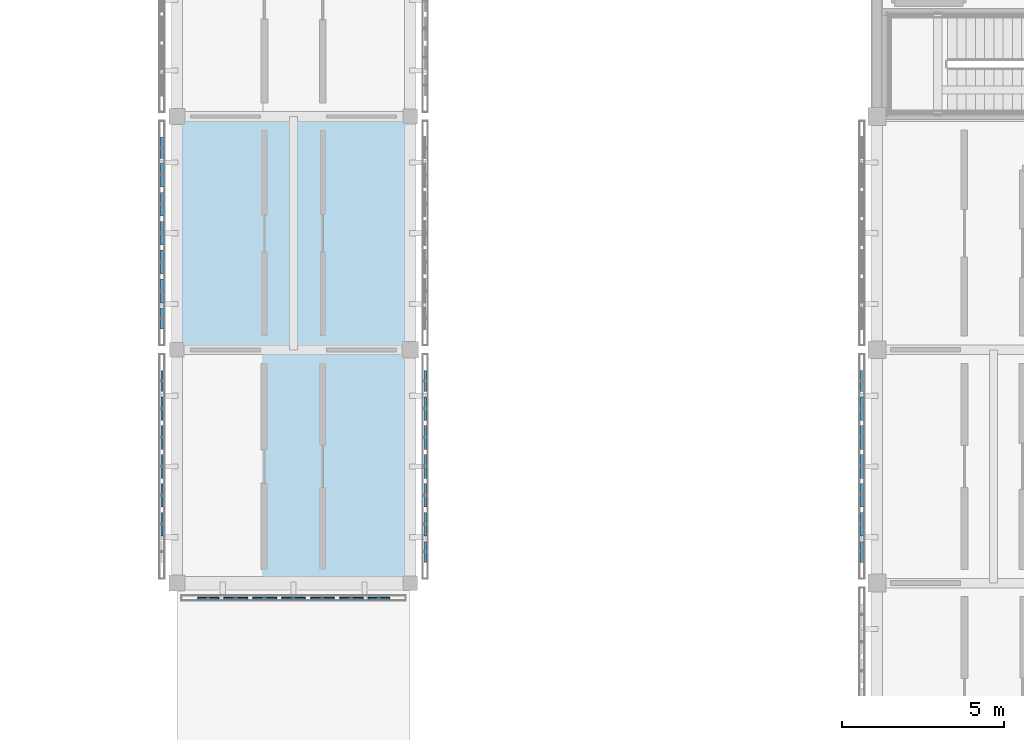
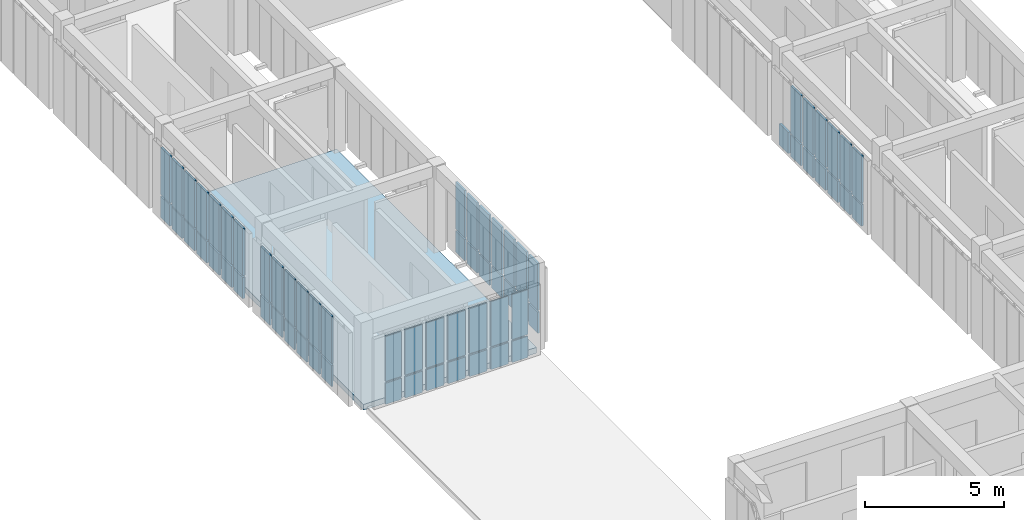
# One storey, part 47 of 67: 67 plates, 1 slab, 5 elements without a shape of their own.
"""IFC4 building model written with IfcOpenShell, lengths in metres."""

from ifc_helpers import new_model, si_unit, direction, frame, origin, origin_2d, place, context, subcontext, project, spatial, polyline, rectangle, outline, extrude, material, layer, layer_set, type_object, element, aggregate, save


model = new_model("IFC4")

# Units and contexts
model_context = context("Model", 3, precision=1e-05, world=origin(), true_north=direction((0.0, 1.0)))
body_context = subcontext(model_context, "Body", "Model", "MODEL_VIEW")
ifc_project = project(units=[si_unit("LENGTHUNIT", "METRE"), si_unit("AREAUNIT", "SQUARE_METRE"), si_unit("VOLUMEUNIT", "CUBIC_METRE"), si_unit("PLANEANGLEUNIT", "RADIAN"), si_unit("MASSUNIT", "GRAM", prefix="KILO")], contexts=[model_context])

# Site, building, storey
site_placement = place(None, origin())
site = spatial("IfcSite", under=ifc_project, at=site_placement, CompositionType="ELEMENT")
building_placement = place(site_placement, origin())
building = spatial("IfcBuilding", under=site, at=building_placement, Name="Aldebral Square Health Centre", CompositionType="ELEMENT")
storey_placement = place(building_placement, frame((0.0, 0.0, 13.5)))
storey = spatial("IfcBuildingStorey", under=building, at=storey_placement, Name="L03", CompositionType="ELEMENT", Elevation=13.5)

# Curtain wall, plates
ifc_material_1 = material(Name="Aluminium and low-E solar glass", Category="aluminium")
curtain_wall_type = type_object("IfcCurtainWallType", Name="CW-FIN-SYS", PredefinedType="USERDEFINED", material=ifc_material_1)
curtain_wall_1_placement = place(storey_placement, origin())
curtain_wall_1 = element("IfcCurtainWall", 1, at=curtain_wall_1_placement, inside=storey, type_object=curtain_wall_type, Name="L03 V5 finned curtain wall L03-V5-19-11-S", ObjectType="SOLAR_CURTAIN_WALL", PredefinedType="USERDEFINED")
ifc_material_2 = material(Name="Solar-control low-E double glass", Category="glass")
ifc_layer_1 = layer(ifc_material_2, 0.06005859375, Name="Solar-control low-E double glass", Category="glass")
ifc_layer_set_1 = layer_set([ifc_layer_1], Name="Solar-control low-E double glass")
plate_type_1 = type_object("IfcPlateType", Name="CWP-GLZ-5", PredefinedType="CURTAIN_PANEL", material=ifc_layer_set_1)
plate_1_placement = place(storey_placement, frame((137.765625, 78.739990234375, 0.074951171875), z_axis=(0.0, 0.0, 1.0), x_axis=(1.0, 0.0, 0.0)))
plate_1 = element("IfcPlate", 2, at=plate_1_placement, type_object=plate_type_1, Name="CW1 panel 1.1", PredefinedType="CURTAIN_PANEL", context=body_context, shape_type="SweptSolid", body=[
    extrude(rectangle(XDim=0.6513671875, YDim=0.06005859375, at=origin_2d()), origin(), (0.0, 0.0, 1.0), 0.9375),
])
plate_2_placement = place(storey_placement, frame((137.765625, 78.739990234375, 1.08740234375), z_axis=(0.0, 0.0, 1.0), x_axis=(1.0, 0.0, 0.0)))
plate_2 = element("IfcPlate", 3, at=plate_2_placement, type_object=plate_type_1, Name="CW1 panel 1.2", PredefinedType="CURTAIN_PANEL", context=body_context, shape_type="SweptSolid", body=[
    extrude(rectangle(XDim=0.6513671875, YDim=0.06005859375, at=origin_2d()), origin(), (0.0, 0.0, 1.0), 1.9775390625),
])
plate_3_placement = place(storey_placement, frame((138.6171875, 78.739990234375, 0.074951171875), z_axis=(0.0, 0.0, 1.0), x_axis=(1.0, 0.0, 0.0)))
plate_3 = element("IfcPlate", 4, at=plate_3_placement, type_object=plate_type_1, Name="CW1 panel 2.1", PredefinedType="CURTAIN_PANEL", context=body_context, shape_type="SweptSolid", body=[
    extrude(rectangle(XDim=0.7314453125, YDim=0.06005859375, at=origin_2d()), origin(), (0.0, 0.0, 1.0), 0.9375),
])
plate_4_placement = place(storey_placement, frame((138.6171875, 78.739990234375, 1.08740234375), z_axis=(0.0, 0.0, 1.0), x_axis=(1.0, 0.0, 0.0)))
plate_4 = element("IfcPlate", 5, at=plate_4_placement, type_object=plate_type_1, Name="CW1 panel 2.2", PredefinedType="CURTAIN_PANEL", context=body_context, shape_type="SweptSolid", body=[
    extrude(rectangle(XDim=0.7314453125, YDim=0.06005859375, at=origin_2d()), origin(), (0.0, 0.0, 1.0), 1.9775390625),
])
plate_5_placement = place(storey_placement, frame((139.508544921875, 78.739990234375, 0.074951171875), z_axis=(0.0, 0.0, 1.0), x_axis=(1.0, 0.0, 0.0)))
plate_5 = element("IfcPlate", 6, at=plate_5_placement, type_object=plate_type_1, Name="CW1 panel 3.1", PredefinedType="CURTAIN_PANEL", context=body_context, shape_type="SweptSolid", body=[
    extrude(rectangle(XDim=0.7314453125, YDim=0.06005859375, at=origin_2d()), origin(), (0.0, 0.0, 1.0), 0.9375),
])
plate_6_placement = place(storey_placement, frame((139.508544921875, 78.739990234375, 1.08740234375), z_axis=(0.0, 0.0, 1.0), x_axis=(1.0, 0.0, 0.0)))
plate_6 = element("IfcPlate", 7, at=plate_6_placement, type_object=plate_type_1, Name="CW1 panel 3.2", PredefinedType="CURTAIN_PANEL", context=body_context, shape_type="SweptSolid", body=[
    extrude(rectangle(XDim=0.7314453125, YDim=0.06005859375, at=origin_2d()), origin(), (0.0, 0.0, 1.0), 1.9775390625),
])
plate_7_placement = place(storey_placement, frame((140.39990234375, 78.739990234375, 0.074951171875), z_axis=(0.0, 0.0, 1.0), x_axis=(1.0, 0.0, 0.0)))
plate_7 = element("IfcPlate", 8, at=plate_7_placement, type_object=plate_type_1, Name="CW1 panel 4.1", PredefinedType="CURTAIN_PANEL", context=body_context, shape_type="SweptSolid", body=[
    extrude(rectangle(XDim=0.7314453125, YDim=0.06005859375, at=origin_2d()), origin(), (0.0, 0.0, 1.0), 0.9375),
])
plate_8_placement = place(storey_placement, frame((140.39990234375, 78.739990234375, 1.08740234375), z_axis=(0.0, 0.0, 1.0), x_axis=(1.0, 0.0, 0.0)))
plate_8 = element("IfcPlate", 9, at=plate_8_placement, type_object=plate_type_1, Name="CW1 panel 4.2", PredefinedType="CURTAIN_PANEL", context=body_context, shape_type="SweptSolid", body=[
    extrude(rectangle(XDim=0.7314453125, YDim=0.06005859375, at=origin_2d()), origin(), (0.0, 0.0, 1.0), 1.9775390625),
])
plate_9_placement = place(storey_placement, frame((141.29150390625, 78.739990234375, 0.074951171875), z_axis=(0.0, 0.0, 1.0), x_axis=(1.0, 0.0, 0.0)))
plate_9 = element("IfcPlate", 10, at=plate_9_placement, type_object=plate_type_1, Name="CW1 panel 5.1", PredefinedType="CURTAIN_PANEL", context=body_context, shape_type="SweptSolid", body=[
    extrude(rectangle(XDim=0.7314453125, YDim=0.06005859375, at=origin_2d()), origin(), (0.0, 0.0, 1.0), 0.9375),
])
plate_10_placement = place(storey_placement, frame((141.29150390625, 78.739990234375, 1.08740234375), z_axis=(0.0, 0.0, 1.0), x_axis=(1.0, 0.0, 0.0)))
plate_10 = element("IfcPlate", 11, at=plate_10_placement, type_object=plate_type_1, Name="CW1 panel 5.2", PredefinedType="CURTAIN_PANEL", context=body_context, shape_type="SweptSolid", body=[
    extrude(rectangle(XDim=0.7314453125, YDim=0.06005859375, at=origin_2d()), origin(), (0.0, 0.0, 1.0), 1.9775390625),
])
plate_11_placement = place(storey_placement, frame((142.182861328125, 78.739990234375, 0.074951171875), z_axis=(0.0, 0.0, 1.0), x_axis=(1.0, 0.0, 0.0)))
plate_11 = element("IfcPlate", 12, at=plate_11_placement, type_object=plate_type_1, Name="CW1 panel 6.1", PredefinedType="CURTAIN_PANEL", context=body_context, shape_type="SweptSolid", body=[
    extrude(rectangle(XDim=0.7314453125, YDim=0.06005859375, at=origin_2d()), origin(), (0.0, 0.0, 1.0), 0.9375),
])
plate_12_placement = place(storey_placement, frame((142.182861328125, 78.739990234375, 1.08740234375), z_axis=(0.0, 0.0, 1.0), x_axis=(1.0, 0.0, 0.0)))
plate_12 = element("IfcPlate", 13, at=plate_12_placement, type_object=plate_type_1, Name="CW1 panel 6.2", PredefinedType="CURTAIN_PANEL", context=body_context, shape_type="SweptSolid", body=[
    extrude(rectangle(XDim=0.7314453125, YDim=0.06005859375, at=origin_2d()), origin(), (0.0, 0.0, 1.0), 1.9775390625),
])
plate_13_placement = place(storey_placement, frame((143.0341796875, 78.739990234375, 0.074951171875), z_axis=(0.0, 0.0, 1.0), x_axis=(1.0, 0.0, 0.0)))
plate_13 = element("IfcPlate", 14, at=plate_13_placement, type_object=plate_type_1, Name="CW1 panel 7.1", PredefinedType="CURTAIN_PANEL", context=body_context, shape_type="SweptSolid", body=[
    extrude(rectangle(XDim=0.6513671875, YDim=0.06005859375, at=origin_2d()), origin(), (0.0, 0.0, 1.0), 0.9375),
])
plate_14_placement = place(storey_placement, frame((143.0341796875, 78.739990234375, 1.08740234375), z_axis=(0.0, 0.0, 1.0), x_axis=(1.0, 0.0, 0.0)))
plate_14 = element("IfcPlate", 15, at=plate_14_placement, type_object=plate_type_1, Name="CW1 panel 7.2", PredefinedType="CURTAIN_PANEL", context=body_context, shape_type="SweptSolid", body=[
    extrude(rectangle(XDim=0.6513671875, YDim=0.06005859375, at=origin_2d()), origin(), (0.0, 0.0, 1.0), 1.9775390625),
])
aggregate(curtain_wall_1, [plate_1, plate_2, plate_3, plate_4, plate_5, plate_6, plate_7, plate_8, plate_9, plate_10, plate_11, plate_12, plate_13, plate_14])

curtain_wall_2_placement = place(storey_placement, origin())
curtain_wall_2 = element("IfcCurtainWall", 16, at=curtain_wall_2_placement, inside=storey, type_object=curtain_wall_type, Name="L03 V5 finned curtain wall L03-V5-19-11-W", ObjectType="SOLAR_CURTAIN_WALL", PredefinedType="USERDEFINED")
ifc_layer_2 = layer(ifc_material_2, 0.070068359375, Name="Solar-control low-E double glass", Category="glass")
ifc_layer_set_2 = layer_set([ifc_layer_2], Name="Solar-control low-E double glass")
plate_type_2 = type_object("IfcPlateType", Name="CWP-GLZ-6", PredefinedType="CURTAIN_PANEL", material=ifc_layer_set_2)
plate_15_placement = place(storey_placement, frame((136.340087890625, 85.434326171875, 0.074951171875), z_axis=(0.0, 0.0, 1.0), x_axis=(0.0, -1.0, 0.0)))
plate_15 = element("IfcPlate", 17, at=plate_15_placement, type_object=plate_type_2, Name="CW1 panel 1.1", PredefinedType="CURTAIN_PANEL", context=body_context, shape_type="SweptSolid", body=[
    extrude(rectangle(XDim=0.6513671875, YDim=0.070068359375, at=origin_2d()), origin(), (0.0, 0.0, 1.0), 0.9375),
])
plate_16_placement = place(storey_placement, frame((136.340087890625, 85.434326171875, 1.08740234375), z_axis=(0.0, 0.0, 1.0), x_axis=(0.0, -1.0, 0.0)))
plate_16 = element("IfcPlate", 18, at=plate_16_placement, type_object=plate_type_2, Name="CW1 panel 1.2", PredefinedType="CURTAIN_PANEL", context=body_context, shape_type="SweptSolid", body=[
    extrude(rectangle(XDim=0.6513671875, YDim=0.070068359375, at=origin_2d()), origin(), (0.0, 0.0, 1.0), 2.077392578125),
])
plate_17_placement = place(storey_placement, frame((136.340087890625, 84.582763671875, 0.074951171875), z_axis=(0.0, 0.0, 1.0), x_axis=(0.0, -1.0, 0.0)))
plate_17 = element("IfcPlate", 19, at=plate_17_placement, type_object=plate_type_2, Name="CW1 panel 2.1", PredefinedType="CURTAIN_PANEL", context=body_context, shape_type="SweptSolid", body=[
    extrude(rectangle(XDim=0.7314453125, YDim=0.070068359375, at=origin_2d()), origin(), (0.0, 0.0, 1.0), 0.9375),
])
plate_18_placement = place(storey_placement, frame((136.340087890625, 84.582763671875, 1.08740234375), z_axis=(0.0, 0.0, 1.0), x_axis=(0.0, -1.0, 0.0)))
plate_18 = element("IfcPlate", 20, at=plate_18_placement, type_object=plate_type_2, Name="CW1 panel 2.2", PredefinedType="CURTAIN_PANEL", context=body_context, shape_type="SweptSolid", body=[
    extrude(rectangle(XDim=0.7314453125, YDim=0.070068359375, at=origin_2d()), origin(), (0.0, 0.0, 1.0), 2.077392578125),
])
plate_19_placement = place(storey_placement, frame((136.340087890625, 83.69140625, 0.074951171875), z_axis=(0.0, 0.0, 1.0), x_axis=(0.0, -1.0, 0.0)))
plate_19 = element("IfcPlate", 21, at=plate_19_placement, type_object=plate_type_2, Name="CW1 panel 3.1", PredefinedType="CURTAIN_PANEL", context=body_context, shape_type="SweptSolid", body=[
    extrude(rectangle(XDim=0.7314453125, YDim=0.070068359375, at=origin_2d()), origin(), (0.0, 0.0, 1.0), 0.9375),
])
plate_20_placement = place(storey_placement, frame((136.340087890625, 83.69140625, 1.08740234375), z_axis=(0.0, 0.0, 1.0), x_axis=(0.0, -1.0, 0.0)))
plate_20 = element("IfcPlate", 22, at=plate_20_placement, type_object=plate_type_2, Name="CW1 panel 3.2", PredefinedType="CURTAIN_PANEL", context=body_context, shape_type="SweptSolid", body=[
    extrude(rectangle(XDim=0.7314453125, YDim=0.070068359375, at=origin_2d()), origin(), (0.0, 0.0, 1.0), 2.077392578125),
])
plate_21_placement = place(storey_placement, frame((136.340087890625, 82.800048828125, 0.074951171875), z_axis=(0.0, 0.0, 1.0), x_axis=(0.0, -1.0, 0.0)))
plate_21 = element("IfcPlate", 23, at=plate_21_placement, type_object=plate_type_2, Name="CW1 panel 4.1", PredefinedType="CURTAIN_PANEL", context=body_context, shape_type="SweptSolid", body=[
    extrude(rectangle(XDim=0.7314453125, YDim=0.070068359375, at=origin_2d()), origin(), (0.0, 0.0, 1.0), 0.9375),
])
plate_22_placement = place(storey_placement, frame((136.340087890625, 82.800048828125, 1.08740234375), z_axis=(0.0, 0.0, 1.0), x_axis=(0.0, -1.0, 0.0)))
plate_22 = element("IfcPlate", 24, at=plate_22_placement, type_object=plate_type_2, Name="CW1 panel 4.2", PredefinedType="CURTAIN_PANEL", context=body_context, shape_type="SweptSolid", body=[
    extrude(rectangle(XDim=0.7314453125, YDim=0.070068359375, at=origin_2d()), origin(), (0.0, 0.0, 1.0), 2.077392578125),
])
plate_23_placement = place(storey_placement, frame((136.340087890625, 81.90869140625, 0.074951171875), z_axis=(0.0, 0.0, 1.0), x_axis=(0.0, -1.0, 0.0)))
plate_23 = element("IfcPlate", 25, at=plate_23_placement, type_object=plate_type_2, Name="CW1 panel 5.1", PredefinedType="CURTAIN_PANEL", context=body_context, shape_type="SweptSolid", body=[
    extrude(rectangle(XDim=0.7314453125, YDim=0.070068359375, at=origin_2d()), origin(), (0.0, 0.0, 1.0), 0.9375),
])
plate_24_placement = place(storey_placement, frame((136.340087890625, 81.90869140625, 1.08740234375), z_axis=(0.0, 0.0, 1.0), x_axis=(0.0, -1.0, 0.0)))
plate_24 = element("IfcPlate", 26, at=plate_24_placement, type_object=plate_type_2, Name="CW1 panel 5.2", PredefinedType="CURTAIN_PANEL", context=body_context, shape_type="SweptSolid", body=[
    extrude(rectangle(XDim=0.7314453125, YDim=0.070068359375, at=origin_2d()), origin(), (0.0, 0.0, 1.0), 2.077392578125),
])
plate_25_placement = place(storey_placement, frame((136.340087890625, 81.01708984375, 0.074951171875), z_axis=(0.0, 0.0, 1.0), x_axis=(0.0, -1.0, 0.0)))
plate_25 = element("IfcPlate", 27, at=plate_25_placement, type_object=plate_type_2, Name="CW1 panel 6.1", PredefinedType="CURTAIN_PANEL", context=body_context, shape_type="SweptSolid", body=[
    extrude(rectangle(XDim=0.7314453125, YDim=0.070068359375, at=origin_2d()), origin(), (0.0, 0.0, 1.0), 0.9375),
])
plate_26_placement = place(storey_placement, frame((136.340087890625, 81.01708984375, 1.08740234375), z_axis=(0.0, 0.0, 1.0), x_axis=(0.0, -1.0, 0.0)))
plate_26 = element("IfcPlate", 28, at=plate_26_placement, type_object=plate_type_2, Name="CW1 panel 6.2", PredefinedType="CURTAIN_PANEL", context=body_context, shape_type="SweptSolid", body=[
    extrude(rectangle(XDim=0.7314453125, YDim=0.070068359375, at=origin_2d()), origin(), (0.0, 0.0, 1.0), 2.077392578125),
])
aggregate(curtain_wall_2, [plate_15, plate_16, plate_17, plate_18, plate_19, plate_20, plate_21, plate_22, plate_23, plate_24, plate_25, plate_26])

curtain_wall_3_placement = place(storey_placement, origin())
curtain_wall_3 = element("IfcCurtainWall", 29, at=curtain_wall_3_placement, inside=storey, type_object=curtain_wall_type, Name="L03 V5 finned curtain wall L03-V5-19-11-E", ObjectType="SOLAR_CURTAIN_WALL", PredefinedType="USERDEFINED")
ifc_layer_3 = layer(ifc_material_2, 0.080078125, Name="Solar-control low-E double glass", Category="glass")
ifc_layer_set_3 = layer_set([ifc_layer_3], Name="Solar-control low-E double glass")
plate_type_3 = type_object("IfcPlateType", Name="CWP-GLZ-7", PredefinedType="CURTAIN_PANEL", material=ifc_layer_set_3)
plate_27_placement = place(storey_placement, frame((144.4599609375, 80.165771484375, 0.074951171875), z_axis=(0.0, 0.0, 1.0), x_axis=(0.0, 1.0, 0.0)))
plate_27 = element("IfcPlate", 30, at=plate_27_placement, type_object=plate_type_3, Name="CW1 panel 1.1", PredefinedType="CURTAIN_PANEL", context=body_context, shape_type="SweptSolid", body=[
    extrude(rectangle(XDim=0.6513671875, YDim=0.080078125, at=origin_2d()), origin(), (0.0, 0.0, 1.0), 0.9375),
])
plate_28_placement = place(storey_placement, frame((144.4599609375, 80.165771484375, 1.08740234375), z_axis=(0.0, 0.0, 1.0), x_axis=(0.0, 1.0, 0.0)))
plate_28 = element("IfcPlate", 31, at=plate_28_placement, type_object=plate_type_3, Name="CW1 panel 1.2", PredefinedType="CURTAIN_PANEL", context=body_context, shape_type="SweptSolid", body=[
    extrude(rectangle(XDim=0.6513671875, YDim=0.080078125, at=origin_2d()), origin(), (0.0, 0.0, 1.0), 2.077392578125),
])
plate_29_placement = place(storey_placement, frame((144.4599609375, 81.01708984375, 0.074951171875), z_axis=(0.0, 0.0, 1.0), x_axis=(0.0, 1.0, 0.0)))
plate_29 = element("IfcPlate", 32, at=plate_29_placement, type_object=plate_type_3, Name="CW1 panel 2.1", PredefinedType="CURTAIN_PANEL", context=body_context, shape_type="SweptSolid", body=[
    extrude(rectangle(XDim=0.7314453125, YDim=0.080078125, at=origin_2d()), origin(), (0.0, 0.0, 1.0), 0.9375),
])
plate_30_placement = place(storey_placement, frame((144.4599609375, 81.01708984375, 1.08740234375), z_axis=(0.0, 0.0, 1.0), x_axis=(0.0, 1.0, 0.0)))
plate_30 = element("IfcPlate", 33, at=plate_30_placement, type_object=plate_type_3, Name="CW1 panel 2.2", PredefinedType="CURTAIN_PANEL", context=body_context, shape_type="SweptSolid", body=[
    extrude(rectangle(XDim=0.7314453125, YDim=0.080078125, at=origin_2d()), origin(), (0.0, 0.0, 1.0), 2.077392578125),
])
plate_31_placement = place(storey_placement, frame((144.4599609375, 81.90869140625, 0.074951171875), z_axis=(0.0, 0.0, 1.0), x_axis=(0.0, 1.0, 0.0)))
plate_31 = element("IfcPlate", 34, at=plate_31_placement, type_object=plate_type_3, Name="CW1 panel 3.1", PredefinedType="CURTAIN_PANEL", context=body_context, shape_type="SweptSolid", body=[
    extrude(rectangle(XDim=0.7314453125, YDim=0.080078125, at=origin_2d()), origin(), (0.0, 0.0, 1.0), 0.9375),
])
plate_32_placement = place(storey_placement, frame((144.4599609375, 81.90869140625, 1.08740234375), z_axis=(0.0, 0.0, 1.0), x_axis=(0.0, 1.0, 0.0)))
plate_32 = element("IfcPlate", 35, at=plate_32_placement, type_object=plate_type_3, Name="CW1 panel 3.2", PredefinedType="CURTAIN_PANEL", context=body_context, shape_type="SweptSolid", body=[
    extrude(rectangle(XDim=0.7314453125, YDim=0.080078125, at=origin_2d()), origin(), (0.0, 0.0, 1.0), 2.077392578125),
])
plate_33_placement = place(storey_placement, frame((144.4599609375, 82.800048828125, 0.074951171875), z_axis=(0.0, 0.0, 1.0), x_axis=(0.0, 1.0, 0.0)))
plate_33 = element("IfcPlate", 36, at=plate_33_placement, type_object=plate_type_3, Name="CW1 panel 4.1", PredefinedType="CURTAIN_PANEL", context=body_context, shape_type="SweptSolid", body=[
    extrude(rectangle(XDim=0.7314453125, YDim=0.080078125, at=origin_2d()), origin(), (0.0, 0.0, 1.0), 0.9375),
])
plate_34_placement = place(storey_placement, frame((144.4599609375, 82.800048828125, 1.08740234375), z_axis=(0.0, 0.0, 1.0), x_axis=(0.0, 1.0, 0.0)))
plate_34 = element("IfcPlate", 37, at=plate_34_placement, type_object=plate_type_3, Name="CW1 panel 4.2", PredefinedType="CURTAIN_PANEL", context=body_context, shape_type="SweptSolid", body=[
    extrude(rectangle(XDim=0.7314453125, YDim=0.080078125, at=origin_2d()), origin(), (0.0, 0.0, 1.0), 2.077392578125),
])
plate_35_placement = place(storey_placement, frame((144.4599609375, 83.69140625, 0.074951171875), z_axis=(0.0, 0.0, 1.0), x_axis=(0.0, 1.0, 0.0)))
plate_35 = element("IfcPlate", 38, at=plate_35_placement, type_object=plate_type_3, Name="CW1 panel 5.1", PredefinedType="CURTAIN_PANEL", context=body_context, shape_type="SweptSolid", body=[
    extrude(rectangle(XDim=0.7314453125, YDim=0.080078125, at=origin_2d()), origin(), (0.0, 0.0, 1.0), 0.9375),
])
plate_36_placement = place(storey_placement, frame((144.4599609375, 83.69140625, 1.08740234375), z_axis=(0.0, 0.0, 1.0), x_axis=(0.0, 1.0, 0.0)))
plate_36 = element("IfcPlate", 39, at=plate_36_placement, type_object=plate_type_3, Name="CW1 panel 5.2", PredefinedType="CURTAIN_PANEL", context=body_context, shape_type="SweptSolid", body=[
    extrude(rectangle(XDim=0.7314453125, YDim=0.080078125, at=origin_2d()), origin(), (0.0, 0.0, 1.0), 2.077392578125),
])
plate_37_placement = place(storey_placement, frame((144.4599609375, 84.582763671875, 0.074951171875), z_axis=(0.0, 0.0, 1.0), x_axis=(0.0, 1.0, 0.0)))
plate_37 = element("IfcPlate", 40, at=plate_37_placement, type_object=plate_type_3, Name="CW1 panel 6.1", PredefinedType="CURTAIN_PANEL", context=body_context, shape_type="SweptSolid", body=[
    extrude(rectangle(XDim=0.7314453125, YDim=0.080078125, at=origin_2d()), origin(), (0.0, 0.0, 1.0), 0.9375),
])
plate_38_placement = place(storey_placement, frame((144.4599609375, 84.582763671875, 1.08740234375), z_axis=(0.0, 0.0, 1.0), x_axis=(0.0, 1.0, 0.0)))
plate_38 = element("IfcPlate", 41, at=plate_38_placement, type_object=plate_type_3, Name="CW1 panel 6.2", PredefinedType="CURTAIN_PANEL", context=body_context, shape_type="SweptSolid", body=[
    extrude(rectangle(XDim=0.7314453125, YDim=0.080078125, at=origin_2d()), origin(), (0.0, 0.0, 1.0), 2.077392578125),
])
plate_39_placement = place(storey_placement, frame((144.4599609375, 85.434326171875, 0.074951171875), z_axis=(0.0, 0.0, 1.0), x_axis=(0.0, 1.0, 0.0)))
plate_39 = element("IfcPlate", 42, at=plate_39_placement, type_object=plate_type_3, Name="CW1 panel 7.1", PredefinedType="CURTAIN_PANEL", context=body_context, shape_type="SweptSolid", body=[
    extrude(rectangle(XDim=0.6513671875, YDim=0.080078125, at=origin_2d()), origin(), (0.0, 0.0, 1.0), 0.9375),
])
plate_40_placement = place(storey_placement, frame((144.4599609375, 85.434326171875, 1.08740234375), z_axis=(0.0, 0.0, 1.0), x_axis=(0.0, 1.0, 0.0)))
plate_40 = element("IfcPlate", 43, at=plate_40_placement, type_object=plate_type_3, Name="CW1 panel 7.2", PredefinedType="CURTAIN_PANEL", context=body_context, shape_type="SweptSolid", body=[
    extrude(rectangle(XDim=0.6513671875, YDim=0.080078125, at=origin_2d()), origin(), (0.0, 0.0, 1.0), 2.077392578125),
])
aggregate(curtain_wall_3, [plate_27, plate_28, plate_29, plate_30, plate_31, plate_32, plate_33, plate_34, plate_35, plate_36, plate_37, plate_38, plate_39, plate_40])

curtain_wall_4_placement = place(storey_placement, origin())
curtain_wall_4 = element("IfcCurtainWall", 44, at=curtain_wall_4_placement, inside=storey, type_object=curtain_wall_type, Name="L03 V5 finned curtain wall L03-V5-19-12-W", ObjectType="SOLAR_CURTAIN_WALL", PredefinedType="USERDEFINED")
ifc_layer_4 = layer(ifc_material_2, 0.090087890625, Name="Solar-control low-E double glass", Category="glass")
ifc_layer_set_4 = layer_set([ifc_layer_4], Name="Solar-control low-E double glass")
plate_type_4 = type_object("IfcPlateType", Name="CWP-GLZ-8", PredefinedType="CURTAIN_PANEL", material=ifc_layer_set_4)
plate_41_placement = place(storey_placement, frame((136.340087890625, 92.63427734375, 0.074951171875), z_axis=(0.0, 0.0, 1.0), x_axis=(0.0, -1.0, 0.0)))
plate_41 = element("IfcPlate", 45, at=plate_41_placement, type_object=plate_type_4, Name="CW1 panel 1.1", PredefinedType="CURTAIN_PANEL", context=body_context, shape_type="SweptSolid", body=[
    extrude(rectangle(XDim=0.6513671875, YDim=0.090087890625, at=origin_2d()), origin(), (0.0, 0.0, 1.0), 0.9375),
])
plate_42_placement = place(storey_placement, frame((136.340087890625, 92.63427734375, 1.08740234375), z_axis=(0.0, 0.0, 1.0), x_axis=(0.0, -1.0, 0.0)))
plate_42 = element("IfcPlate", 46, at=plate_42_placement, type_object=plate_type_4, Name="CW1 panel 1.2", PredefinedType="CURTAIN_PANEL", context=body_context, shape_type="SweptSolid", body=[
    extrude(rectangle(XDim=0.6513671875, YDim=0.090087890625, at=origin_2d()), origin(), (0.0, 0.0, 1.0), 2.077392578125),
])
plate_43_placement = place(storey_placement, frame((136.340087890625, 91.782958984375, 0.074951171875), z_axis=(0.0, 0.0, 1.0), x_axis=(0.0, -1.0, 0.0)))
plate_43 = element("IfcPlate", 47, at=plate_43_placement, type_object=plate_type_4, Name="CW1 panel 2.1", PredefinedType="CURTAIN_PANEL", context=body_context, shape_type="SweptSolid", body=[
    extrude(rectangle(XDim=0.7314453125, YDim=0.090087890625, at=origin_2d()), origin(), (0.0, 0.0, 1.0), 0.9375),
])
plate_44_placement = place(storey_placement, frame((136.340087890625, 91.782958984375, 1.08740234375), z_axis=(0.0, 0.0, 1.0), x_axis=(0.0, -1.0, 0.0)))
plate_44 = element("IfcPlate", 48, at=plate_44_placement, type_object=plate_type_4, Name="CW1 panel 2.2", PredefinedType="CURTAIN_PANEL", context=body_context, shape_type="SweptSolid", body=[
    extrude(rectangle(XDim=0.7314453125, YDim=0.090087890625, at=origin_2d()), origin(), (0.0, 0.0, 1.0), 2.077392578125),
])
plate_45_placement = place(storey_placement, frame((136.340087890625, 90.891357421875, 0.074951171875), z_axis=(0.0, 0.0, 1.0), x_axis=(0.0, -1.0, 0.0)))
plate_45 = element("IfcPlate", 49, at=plate_45_placement, type_object=plate_type_4, Name="CW1 panel 3.1", PredefinedType="CURTAIN_PANEL", context=body_context, shape_type="SweptSolid", body=[
    extrude(rectangle(XDim=0.7314453125, YDim=0.090087890625, at=origin_2d()), origin(), (0.0, 0.0, 1.0), 0.9375),
])
plate_46_placement = place(storey_placement, frame((136.340087890625, 90.891357421875, 1.08740234375), z_axis=(0.0, 0.0, 1.0), x_axis=(0.0, -1.0, 0.0)))
plate_46 = element("IfcPlate", 50, at=plate_46_placement, type_object=plate_type_4, Name="CW1 panel 3.2", PredefinedType="CURTAIN_PANEL", context=body_context, shape_type="SweptSolid", body=[
    extrude(rectangle(XDim=0.7314453125, YDim=0.090087890625, at=origin_2d()), origin(), (0.0, 0.0, 1.0), 2.077392578125),
])
plate_47_placement = place(storey_placement, frame((136.340087890625, 90.0, 0.074951171875), z_axis=(0.0, 0.0, 1.0), x_axis=(0.0, -1.0, 0.0)))
plate_47 = element("IfcPlate", 51, at=plate_47_placement, type_object=plate_type_4, Name="CW1 panel 4.1", PredefinedType="CURTAIN_PANEL", context=body_context, shape_type="SweptSolid", body=[
    extrude(rectangle(XDim=0.7314453125, YDim=0.090087890625, at=origin_2d()), origin(), (0.0, 0.0, 1.0), 0.9375),
])
plate_48_placement = place(storey_placement, frame((136.340087890625, 90.0, 1.08740234375), z_axis=(0.0, 0.0, 1.0), x_axis=(0.0, -1.0, 0.0)))
plate_48 = element("IfcPlate", 52, at=plate_48_placement, type_object=plate_type_4, Name="CW1 panel 4.2", PredefinedType="CURTAIN_PANEL", context=body_context, shape_type="SweptSolid", body=[
    extrude(rectangle(XDim=0.7314453125, YDim=0.090087890625, at=origin_2d()), origin(), (0.0, 0.0, 1.0), 2.077392578125),
])
plate_49_placement = place(storey_placement, frame((136.340087890625, 89.108642578125, 0.074951171875), z_axis=(0.0, 0.0, 1.0), x_axis=(0.0, -1.0, 0.0)))
plate_49 = element("IfcPlate", 53, at=plate_49_placement, type_object=plate_type_4, Name="CW1 panel 5.1", PredefinedType="CURTAIN_PANEL", context=body_context, shape_type="SweptSolid", body=[
    extrude(rectangle(XDim=0.7314453125, YDim=0.090087890625, at=origin_2d()), origin(), (0.0, 0.0, 1.0), 0.9375),
])
plate_50_placement = place(storey_placement, frame((136.340087890625, 89.108642578125, 1.08740234375), z_axis=(0.0, 0.0, 1.0), x_axis=(0.0, -1.0, 0.0)))
plate_50 = element("IfcPlate", 54, at=plate_50_placement, type_object=plate_type_4, Name="CW1 panel 5.2", PredefinedType="CURTAIN_PANEL", context=body_context, shape_type="SweptSolid", body=[
    extrude(rectangle(XDim=0.7314453125, YDim=0.090087890625, at=origin_2d()), origin(), (0.0, 0.0, 1.0), 2.077392578125),
])
plate_51_placement = place(storey_placement, frame((136.340087890625, 88.217041015625, 0.074951171875), z_axis=(0.0, 0.0, 1.0), x_axis=(0.0, -1.0, 0.0)))
plate_51 = element("IfcPlate", 55, at=plate_51_placement, type_object=plate_type_4, Name="CW1 panel 6.1", PredefinedType="CURTAIN_PANEL", context=body_context, shape_type="SweptSolid", body=[
    extrude(rectangle(XDim=0.7314453125, YDim=0.090087890625, at=origin_2d()), origin(), (0.0, 0.0, 1.0), 0.9375),
])
plate_52_placement = place(storey_placement, frame((136.340087890625, 88.217041015625, 1.08740234375), z_axis=(0.0, 0.0, 1.0), x_axis=(0.0, -1.0, 0.0)))
plate_52 = element("IfcPlate", 56, at=plate_52_placement, type_object=plate_type_4, Name="CW1 panel 6.2", PredefinedType="CURTAIN_PANEL", context=body_context, shape_type="SweptSolid", body=[
    extrude(rectangle(XDim=0.7314453125, YDim=0.090087890625, at=origin_2d()), origin(), (0.0, 0.0, 1.0), 2.077392578125),
])
plate_53_placement = place(storey_placement, frame((136.340087890625, 87.36572265625, 0.074951171875), z_axis=(0.0, 0.0, 1.0), x_axis=(0.0, -1.0, 0.0)))
plate_53 = element("IfcPlate", 57, at=plate_53_placement, type_object=plate_type_4, Name="CW1 panel 7.1", PredefinedType="CURTAIN_PANEL", context=body_context, shape_type="SweptSolid", body=[
    extrude(rectangle(XDim=0.6513671875, YDim=0.090087890625, at=origin_2d()), origin(), (0.0, 0.0, 1.0), 0.9375),
])
plate_54_placement = place(storey_placement, frame((136.340087890625, 87.36572265625, 1.08740234375), z_axis=(0.0, 0.0, 1.0), x_axis=(0.0, -1.0, 0.0)))
plate_54 = element("IfcPlate", 58, at=plate_54_placement, type_object=plate_type_4, Name="CW1 panel 7.2", PredefinedType="CURTAIN_PANEL", context=body_context, shape_type="SweptSolid", body=[
    extrude(rectangle(XDim=0.6513671875, YDim=0.090087890625, at=origin_2d()), origin(), (0.0, 0.0, 1.0), 2.077392578125),
])
aggregate(curtain_wall_4, [plate_41, plate_42, plate_43, plate_44, plate_45, plate_46, plate_47, plate_48, plate_49, plate_50, plate_51, plate_52, plate_53, plate_54])

curtain_wall_5_placement = place(storey_placement, origin())
curtain_wall_5 = element("IfcCurtainWall", 59, at=curtain_wall_5_placement, inside=storey, type_object=curtain_wall_type, Name="L03 V5 finned curtain wall L03-V5-22-11-W", ObjectType="SOLAR_CURTAIN_WALL", PredefinedType="USERDEFINED")
plate_55_placement = place(storey_placement, frame((157.93994140625, 85.434326171875, 0.074951171875), z_axis=(0.0, 0.0, 1.0), x_axis=(0.0, -1.0, 0.0)))
plate_55 = element("IfcPlate", 60, at=plate_55_placement, type_object=plate_type_4, Name="CW1 panel 1.1", PredefinedType="CURTAIN_PANEL", context=body_context, shape_type="SweptSolid", body=[
    extrude(rectangle(XDim=0.6513671875, YDim=0.090087890625, at=origin_2d()), origin(), (0.0, 0.0, 1.0), 0.9375),
])
plate_56_placement = place(storey_placement, frame((157.93994140625, 84.582763671875, 0.074951171875), z_axis=(0.0, 0.0, 1.0), x_axis=(0.0, -1.0, 0.0)))
plate_56 = element("IfcPlate", 61, at=plate_56_placement, type_object=plate_type_4, Name="CW1 panel 2.1", PredefinedType="CURTAIN_PANEL", context=body_context, shape_type="SweptSolid", body=[
    extrude(rectangle(XDim=0.7314453125, YDim=0.090087890625, at=origin_2d()), origin(), (0.0, 0.0, 1.0), 0.9375),
])
plate_57_placement = place(storey_placement, frame((157.93994140625, 84.582763671875, 1.08740234375), z_axis=(0.0, 0.0, 1.0), x_axis=(0.0, -1.0, 0.0)))
plate_57 = element("IfcPlate", 62, at=plate_57_placement, type_object=plate_type_4, Name="CW1 panel 2.2", PredefinedType="CURTAIN_PANEL", context=body_context, shape_type="SweptSolid", body=[
    extrude(rectangle(XDim=0.7314453125, YDim=0.090087890625, at=origin_2d()), origin(), (0.0, 0.0, 1.0), 2.077392578125),
])
plate_58_placement = place(storey_placement, frame((157.93994140625, 83.69140625, 0.074951171875), z_axis=(0.0, 0.0, 1.0), x_axis=(0.0, -1.0, 0.0)))
plate_58 = element("IfcPlate", 63, at=plate_58_placement, type_object=plate_type_4, Name="CW1 panel 3.1", PredefinedType="CURTAIN_PANEL", context=body_context, shape_type="SweptSolid", body=[
    extrude(rectangle(XDim=0.7314453125, YDim=0.090087890625, at=origin_2d()), origin(), (0.0, 0.0, 1.0), 0.9375),
])
plate_59_placement = place(storey_placement, frame((157.93994140625, 83.69140625, 1.08740234375), z_axis=(0.0, 0.0, 1.0), x_axis=(0.0, -1.0, 0.0)))
plate_59 = element("IfcPlate", 64, at=plate_59_placement, type_object=plate_type_4, Name="CW1 panel 3.2", PredefinedType="CURTAIN_PANEL", context=body_context, shape_type="SweptSolid", body=[
    extrude(rectangle(XDim=0.7314453125, YDim=0.090087890625, at=origin_2d()), origin(), (0.0, 0.0, 1.0), 2.077392578125),
])
plate_60_placement = place(storey_placement, frame((157.93994140625, 82.800048828125, 0.074951171875), z_axis=(0.0, 0.0, 1.0), x_axis=(0.0, -1.0, 0.0)))
plate_60 = element("IfcPlate", 65, at=plate_60_placement, type_object=plate_type_4, Name="CW1 panel 4.1", PredefinedType="CURTAIN_PANEL", context=body_context, shape_type="SweptSolid", body=[
    extrude(rectangle(XDim=0.7314453125, YDim=0.090087890625, at=origin_2d()), origin(), (0.0, 0.0, 1.0), 0.9375),
])
plate_61_placement = place(storey_placement, frame((157.93994140625, 82.800048828125, 1.08740234375), z_axis=(0.0, 0.0, 1.0), x_axis=(0.0, -1.0, 0.0)))
plate_61 = element("IfcPlate", 66, at=plate_61_placement, type_object=plate_type_4, Name="CW1 panel 4.2", PredefinedType="CURTAIN_PANEL", context=body_context, shape_type="SweptSolid", body=[
    extrude(rectangle(XDim=0.7314453125, YDim=0.090087890625, at=origin_2d()), origin(), (0.0, 0.0, 1.0), 2.077392578125),
])
plate_62_placement = place(storey_placement, frame((157.93994140625, 81.90869140625, 0.074951171875), z_axis=(0.0, 0.0, 1.0), x_axis=(0.0, -1.0, 0.0)))
plate_62 = element("IfcPlate", 67, at=plate_62_placement, type_object=plate_type_4, Name="CW1 panel 5.1", PredefinedType="CURTAIN_PANEL", context=body_context, shape_type="SweptSolid", body=[
    extrude(rectangle(XDim=0.7314453125, YDim=0.090087890625, at=origin_2d()), origin(), (0.0, 0.0, 1.0), 0.9375),
])
plate_63_placement = place(storey_placement, frame((157.93994140625, 81.90869140625, 1.08740234375), z_axis=(0.0, 0.0, 1.0), x_axis=(0.0, -1.0, 0.0)))
plate_63 = element("IfcPlate", 68, at=plate_63_placement, type_object=plate_type_4, Name="CW1 panel 5.2", PredefinedType="CURTAIN_PANEL", context=body_context, shape_type="SweptSolid", body=[
    extrude(rectangle(XDim=0.7314453125, YDim=0.090087890625, at=origin_2d()), origin(), (0.0, 0.0, 1.0), 2.077392578125),
])
plate_64_placement = place(storey_placement, frame((157.93994140625, 81.01708984375, 0.074951171875), z_axis=(0.0, 0.0, 1.0), x_axis=(0.0, -1.0, 0.0)))
plate_64 = element("IfcPlate", 69, at=plate_64_placement, type_object=plate_type_4, Name="CW1 panel 6.1", PredefinedType="CURTAIN_PANEL", context=body_context, shape_type="SweptSolid", body=[
    extrude(rectangle(XDim=0.7314453125, YDim=0.090087890625, at=origin_2d()), origin(), (0.0, 0.0, 1.0), 0.9375),
])
plate_65_placement = place(storey_placement, frame((157.93994140625, 81.01708984375, 1.08740234375), z_axis=(0.0, 0.0, 1.0), x_axis=(0.0, -1.0, 0.0)))
plate_65 = element("IfcPlate", 70, at=plate_65_placement, type_object=plate_type_4, Name="CW1 panel 6.2", PredefinedType="CURTAIN_PANEL", context=body_context, shape_type="SweptSolid", body=[
    extrude(rectangle(XDim=0.7314453125, YDim=0.090087890625, at=origin_2d()), origin(), (0.0, 0.0, 1.0), 2.077392578125),
])
plate_66_placement = place(storey_placement, frame((157.93994140625, 80.165771484375, 0.074951171875), z_axis=(0.0, 0.0, 1.0), x_axis=(0.0, -1.0, 0.0)))
plate_66 = element("IfcPlate", 71, at=plate_66_placement, type_object=plate_type_4, Name="CW1 panel 7.1", PredefinedType="CURTAIN_PANEL", context=body_context, shape_type="SweptSolid", body=[
    extrude(rectangle(XDim=0.6513671875, YDim=0.090087890625, at=origin_2d()), origin(), (0.0, 0.0, 1.0), 0.9375),
])
plate_67_placement = place(storey_placement, frame((157.93994140625, 80.165771484375, 1.08740234375), z_axis=(0.0, 0.0, 1.0), x_axis=(0.0, -1.0, 0.0)))
plate_67 = element("IfcPlate", 72, at=plate_67_placement, type_object=plate_type_4, Name="CW1 panel 7.2", PredefinedType="CURTAIN_PANEL", context=body_context, shape_type="SweptSolid", body=[
    extrude(rectangle(XDim=0.6513671875, YDim=0.090087890625, at=origin_2d()), origin(), (0.0, 0.0, 1.0), 2.077392578125),
])
aggregate(curtain_wall_5, [plate_55, plate_56, plate_57, plate_58, plate_59, plate_60, plate_61, plate_62, plate_63, plate_64, plate_65, plate_66, plate_67])

# Slab
ifc_material_3 = material(Name="Concrete C35/45", Category="concrete")
ifc_layer_5 = layer(ifc_material_3, 0.25, Name="Concrete C35/45", Category="concrete")
ifc_layer_set_5 = layer_set([ifc_layer_5], Name="Concrete C35/45")
slab_type = type_object("IfcSlabType", Name="SL-FLR-250", PredefinedType="FLOOR", material=ifc_layer_set_5)
slab_placement = place(storey_placement, frame((0.0, 0.0, -0.25)))
element("IfcSlab", 73, at=slab_placement, inside=storey, type_object=slab_type, Name="L03 V5 floor slab 1", PredefinedType="FLOOR", context=body_context, shape_type="SweptSolid", body=[
    extrude(outline(polyline([(136.800048828125, 79.199951171875), (136.800048828125, 86.39990234375), (136.800048828125, 93.60009765625), (144.0, 93.60009765625), (144.0, 86.39990234375), (144.0, 79.199951171875), (136.800048828125, 79.199951171875)])), origin(), (0.0, 0.0, 1.0), 0.25),
])

save(model, "model.ifc")
